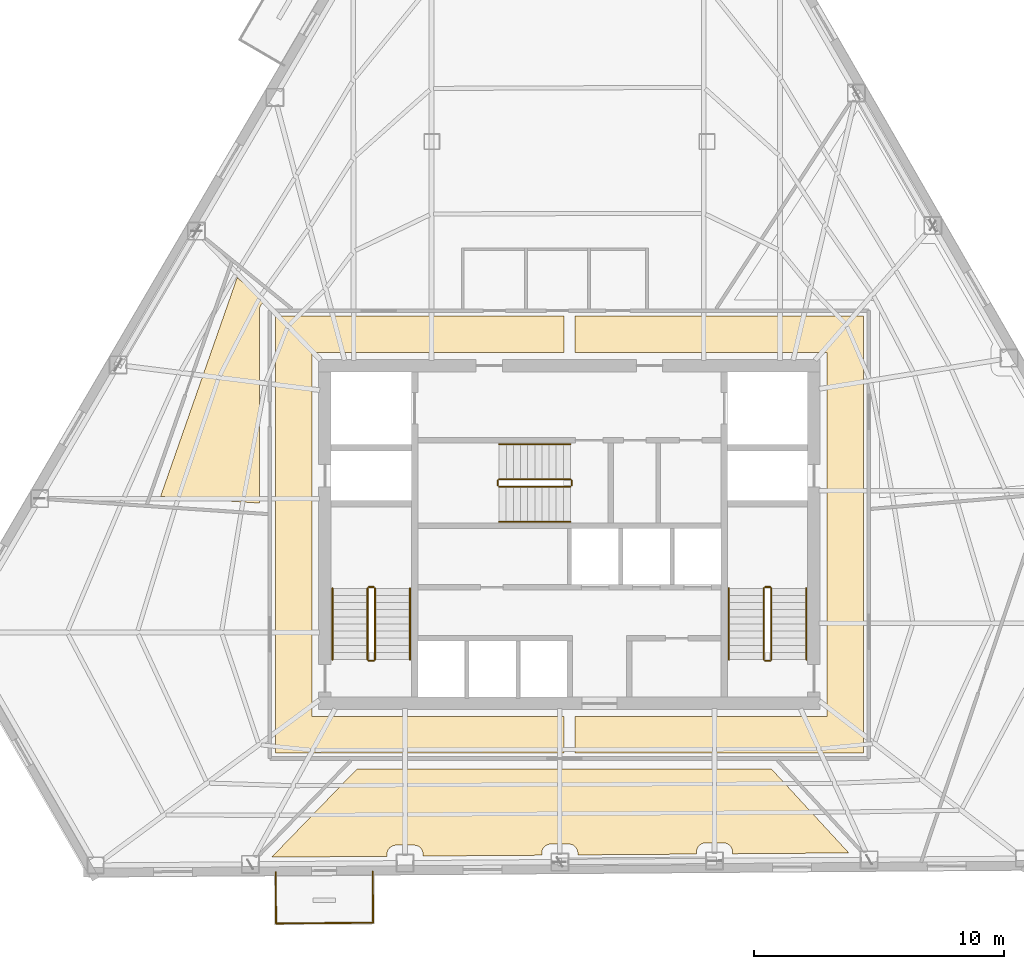
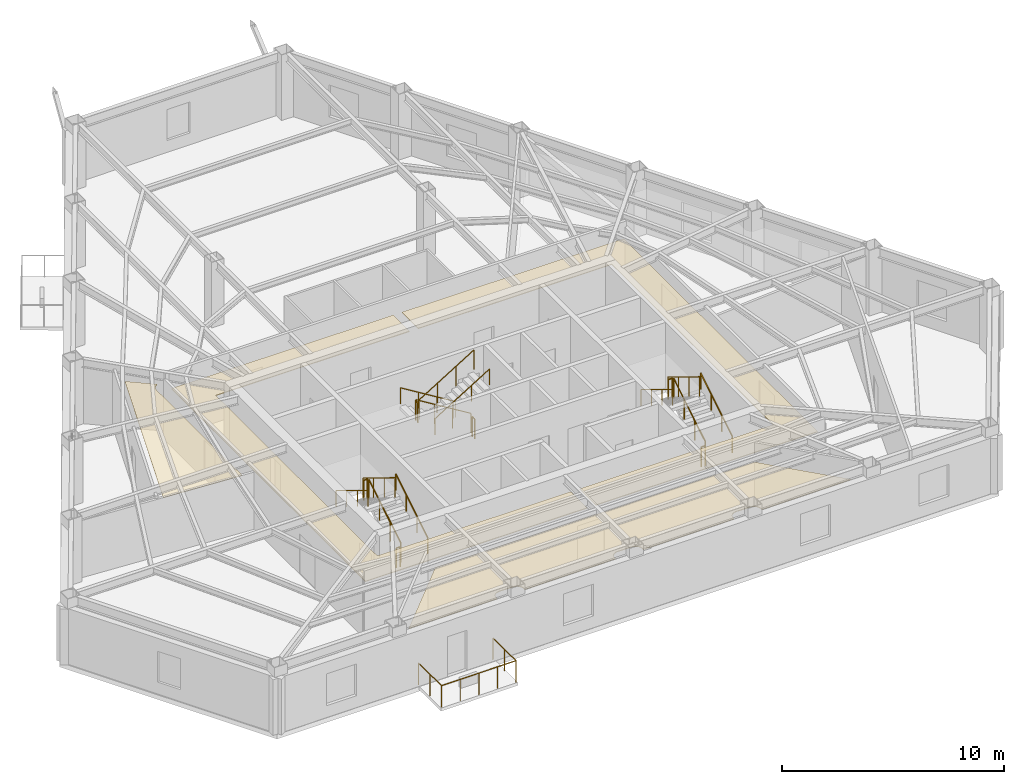
# One storey, part 11 of 12: 21 railings, 4 coverings.
"""IFC4 building model written with IfcOpenShell, lengths in metres."""

from ifc_helpers import new_model, si_unit, direction, frame, origin, origin_2d, place, context, subcontext, project, spatial, polyline, circle, outline, extrude, material, layer, layer_set, type_object, element, save


model = new_model("IFC4")

# Units and contexts
model_context = context("Model", 3, precision=1e-05, world=origin(), true_north=direction((0.0, 1.0)))
body_context = subcontext(model_context, "Body", "Model", "MODEL_VIEW")
ifc_project = project(units=[si_unit("LENGTHUNIT", "METRE"), si_unit("AREAUNIT", "SQUARE_METRE"), si_unit("VOLUMEUNIT", "CUBIC_METRE"), si_unit("PLANEANGLEUNIT", "RADIAN"), si_unit("MASSUNIT", "GRAM", prefix="KILO")], contexts=[model_context])

# Site, building, storey
site_placement = place(None, origin())
site = spatial("IfcSite", under=ifc_project, at=site_placement, CompositionType="ELEMENT")
building_placement = place(site_placement, origin())
building = spatial("IfcBuilding", under=site, at=building_placement, Name="Kavelnor Concourse Tower", CompositionType="ELEMENT")
storey_placement = place(building_placement, frame((0.0, 0.0, 143.25)))
storey = spatial("IfcBuildingStorey", under=building, at=storey_placement, Name="L36", CompositionType="ELEMENT", Elevation=143.25)

# Coverings
ifc_material_1 = material(Name="Mineral fibre acoustic ceiling tile")
ifc_layer = layer(ifc_material_1, 0.0400390625, Name="Mineral fibre acoustic ceiling tile")
ifc_layer_set = layer_set([ifc_layer], Name="Mineral fibre acoustic ceiling tile")
covering_type = type_object("IfcCoveringType", Name="COV-CEILING-ACOUSTIC", PredefinedType="CEILING", material=ifc_layer_set)
covering_1_placement = place(storey_placement, frame((0.0, 0.0, 2.75)))
element("IfcCovering", 1, at=covering_1_placement, inside=storey, type_object=covering_type, Name="L36 Suspended Acoustic Ceiling", PredefinedType="CEILING", context=body_context, shape_type="SweptSolid", body=[
    extrude(outline(polyline([(26.25, 7.3701171875), (26.25, 24.830078125), (37.77490234375, 24.830078125), (37.77490234375, 23.3701171875), (27.7099609375, 23.3701171875), (27.7099609375, 8.830078125), (37.77490234375, 8.830078125), (37.77490234375, 7.3701171875), (26.25, 7.3701171875)])), origin(), (0.0, 0.0, 1.0), 0.0400390625),
])
covering_2_placement = place(storey_placement, frame((0.0, 0.0, 2.75)))
element("IfcCovering", 2, at=covering_2_placement, inside=storey, type_object=covering_type, Name="L36 Suspended Acoustic Ceiling", PredefinedType="CEILING", context=body_context, shape_type="SweptSolid", body=[
    extrude(outline(polyline([(49.75, 7.3701171875), (38.22509765625, 7.3701171875), (38.22509765625, 8.830078125), (48.2900390625, 8.830078125), (48.2900390625, 23.3701171875), (38.22509765625, 23.3701171875), (38.22509765625, 24.830078125), (49.75, 24.830078125), (49.75, 7.3701171875)])), origin(), (0.0, 0.0, 1.0), 0.0400390625),
])
covering_3_placement = place(storey_placement, frame((0.0, 0.0, 2.75)))
element("IfcCovering", 3, at=covering_3_placement, inside=storey, type_object=covering_type, Name="L36 Suspended Acoustic Ceiling", PredefinedType="CEILING", context=body_context, shape_type="SweptSolid", body=[
    extrude(outline(polyline([(25.83056640625, 25.423095703125), (25.794921875, 25.401611328125), (25.76171875, 25.376953125), (25.73095703125, 25.34912109375), (25.703125, 25.318359375), (25.678466796875, 25.284912109375), (25.656982421875, 25.24951171875), (25.639404296875, 25.2119140625), (25.625244140625, 25.1728515625), (25.615234375, 25.132568359375), (25.609130859375, 25.091552734375), (25.607421875, 25.058349609375), (25.607421875, 17.3544921875), (21.65966796875, 17.62158203125), (24.72021484375, 26.36572265625), (25.861328125, 25.4375), (25.83056640625, 25.423095703125)])), origin(), (0.0, 0.0, 1.0), 0.0400390625),
])
covering_4_placement = place(storey_placement, frame((0.0, 0.0, 2.75)))
element("IfcCovering", 4, at=covering_4_placement, inside=storey, type_object=covering_type, Name="L36 Suspended Acoustic Ceiling", PredefinedType="CEILING", context=body_context, shape_type="SweptSolid", body=[
    extrude(outline(polyline([(29.509521484375, 6.7275390625), (46.074462890625, 6.7275390625), (49.165283203125, 3.374267578125), (44.518310546875, 3.33984375), (44.518310546875, 3.4228515625), (44.516845703125, 3.449951171875), (44.51171875, 3.48486328125), (44.503173828125, 3.519287109375), (44.4912109375, 3.552490234375), (44.47607421875, 3.58447265625), (44.4580078125, 3.61474609375), (44.436767578125, 3.643310546875), (44.4130859375, 3.66943359375), (44.38671875, 3.693115234375), (44.3583984375, 3.71435546875), (44.328125, 3.732421875), (44.296142578125, 3.74755859375), (44.2626953125, 3.759521484375), (44.228515625, 3.76806640625), (44.193603515625, 3.773193359375), (44.16650390625, 3.774658203125), (43.429931640625, 3.774658203125), (43.40283203125, 3.773193359375), (43.367919921875, 3.76806640625), (43.33349609375, 3.759521484375), (43.30029296875, 3.74755859375), (43.268310546875, 3.732421875), (43.238037109375, 3.71435546875), (43.209716796875, 3.693115234375), (43.183349609375, 3.66943359375), (43.15966796875, 3.643310546875), (43.138427734375, 3.61474609375), (43.120361328125, 3.58447265625), (43.105224609375, 3.552490234375), (43.09326171875, 3.519287109375), (43.084716796875, 3.48486328125), (43.07958984375, 3.449951171875), (43.078125, 3.4228515625), (43.078125, 3.329345703125), (38.334228515625, 3.29443359375), (38.334228515625, 3.37744140625), (38.3330078125, 3.404296875), (38.32763671875, 3.439453125), (38.319091796875, 3.4736328125), (38.30712890625, 3.507080078125), (38.2919921875, 3.5390625), (38.27392578125, 3.5693359375), (38.252685546875, 3.59765625), (38.22900390625, 3.623779296875), (38.202880859375, 3.647705078125), (38.17431640625, 3.668701171875), (38.14404296875, 3.68701171875), (38.112060546875, 3.7021484375), (38.078857421875, 3.714111328125), (38.04443359375, 3.72265625), (38.009521484375, 3.727783203125), (37.982421875, 3.72900390625), (37.245849609375, 3.72900390625), (37.218994140625, 3.727783203125), (37.183837890625, 3.72265625), (37.149658203125, 3.714111328125), (37.1162109375, 3.7021484375), (37.084228515625, 3.68701171875), (37.053955078125, 3.668701171875), (37.025634765625, 3.647705078125), (36.99951171875, 3.623779296875), (36.9755859375, 3.59765625), (36.95458984375, 3.5693359375), (36.936279296875, 3.5390625), (36.921142578125, 3.507080078125), (36.9091796875, 3.4736328125), (36.900634765625, 3.439453125), (36.8955078125, 3.404296875), (36.894287109375, 3.37744140625), (36.894287109375, 3.28369140625), (32.150146484375, 3.248779296875), (32.150146484375, 3.331787109375), (32.14892578125, 3.35888671875), (32.143798828125, 3.393798828125), (32.135009765625, 3.42822265625), (32.123291015625, 3.46142578125), (32.108154296875, 3.493408203125), (32.08984375, 3.523681640625), (32.06884765625, 3.55224609375), (32.044921875, 3.578369140625), (32.018798828125, 3.602294921875), (31.990478515625, 3.623291015625), (31.960205078125, 3.6416015625), (31.927978515625, 3.656494140625), (31.894775390625, 3.66845703125), (31.860595703125, 3.677001953125), (31.825439453125, 3.682373046875), (31.798583984375, 3.68359375), (31.06201171875, 3.68359375), (31.034912109375, 3.682373046875), (31.0, 3.677001953125), (30.965576171875, 3.66845703125), (30.932373046875, 3.656494140625), (30.900390625, 3.6416015625), (30.8701171875, 3.623291015625), (30.841552734375, 3.602294921875), (30.8154296875, 3.578369140625), (30.79150390625, 3.55224609375), (30.7705078125, 3.523681640625), (30.752197265625, 3.493408203125), (30.7373046875, 3.46142578125), (30.725341796875, 3.42822265625), (30.716796875, 3.393798828125), (30.71142578125, 3.35888671875), (30.710205078125, 3.331787109375), (30.710205078125, 3.23828125), (26.1005859375, 3.204345703125), (29.509521484375, 6.7275390625)])), origin(), (0.0, 0.0, 1.0), 0.0400390625),
])

# Railings
ifc_material_2 = material(Name="Steel Grade 350", Category="steel")
railing_type_1 = type_object("IfcRailingType", Name="RLG-GUARD-1100", PredefinedType="GUARDRAIL", material=ifc_material_2)
railing_1_placement = place(storey_placement, frame((30.22998046875, 11.10009765625, 0.175048828125)))
element("IfcRailing", 5, at=railing_1_placement, inside=storey, type_object=railing_type_1, Name="L36 ST1 stair guard 1", PredefinedType="GUARDRAIL", context=body_context, shape_type="SweptSolid", body=[
    extrude(circle(Radius=0.02392578125, at=origin_2d()), frame((0.0, 0.0, 1.076171875), z_axis=(0.0, 0.852159232446, 0.523282564737), x_axis=(-1.0, 0.0, 0.0)), (0.0, 0.0, 1.0), 3.34423828125),
    extrude(circle(Radius=0.02099609375, at=origin_2d()), origin(), (0.0, 0.0, 1.0), 1.052001953125),
    extrude(circle(Radius=0.02099609375, at=origin_2d()), frame((0.0, 0.949951171875, 0.583251953125)), (0.0, 0.0, 1.0), 1.052001953125),
    extrude(circle(Radius=0.02099609375, at=origin_2d()), frame((0.0, 1.89990234375, 1.166748046875)), (0.0, 0.0, 1.0), 1.052001953125),
    extrude(circle(Radius=0.02099609375, at=origin_2d()), frame((0.0, 2.849853515625, 1.75)), (0.0, 0.0, 1.0), 1.052001953125),
])
railing_2_placement = place(storey_placement, frame((30.179931640625, 14.0, 1.925048828125)))
element("IfcRailing", 6, at=railing_2_placement, inside=storey, type_object=railing_type_1, Name="L36 ST1 stair guard 2", PredefinedType="GUARDRAIL", context=body_context, shape_type="SweptSolid", body=[
    extrude(circle(Radius=0.02392578125, at=origin_2d()), frame((0.0, 0.0, 1.076171875), z_axis=(-1.0, 0.0, 0.0), x_axis=(0.0, -1.0, 0.0)), (0.0, 0.0, 1.0), 0.199951171875),
    extrude(circle(Radius=0.02099609375, at=origin_2d()), origin(), (0.0, 0.0, 1.0), 1.052001953125),
    extrude(circle(Radius=0.02099609375, at=origin_2d()), frame((-0.199951171875, 0.0, 0.0)), (0.0, 0.0, 1.0), 1.052001953125),
])
railing_3_placement = place(storey_placement, frame((29.929931640625, 13.949951171875, 2.10009765625)))
element("IfcRailing", 7, at=railing_3_placement, inside=storey, type_object=railing_type_1, Name="L36 ST1 stair guard 3", PredefinedType="GUARDRAIL", context=body_context, shape_type="SweptSolid", body=[
    extrude(circle(Radius=0.02392578125, at=origin_2d()), frame((0.0, 0.0, 1.076171875), z_axis=(0.0, -0.852159232446, 0.523282564737), x_axis=(1.0, 0.0, 0.0)), (0.0, 0.0, 1.0), 3.34423828125),
    extrude(circle(Radius=0.02099609375, at=origin_2d()), origin(), (0.0, 0.0, 1.0), 1.052001953125),
    extrude(circle(Radius=0.02099609375, at=origin_2d()), frame((0.0, -0.949951171875, 0.583251953125)), (0.0, 0.0, 1.0), 1.052001953125),
    extrude(circle(Radius=0.02099609375, at=origin_2d()), frame((0.0, -1.89990234375, 1.166748046875)), (0.0, 0.0, 1.0), 1.052001953125),
    extrude(circle(Radius=0.02099609375, at=origin_2d()), frame((0.0, -2.849853515625, 1.75)), (0.0, 0.0, 1.0), 1.052001953125),
])
railing_4_placement = place(storey_placement, frame((30.179931640625, 11.050048828125, 0.0)))
element("IfcRailing", 8, at=railing_4_placement, inside=storey, type_object=railing_type_1, Name="L36 ST1 stair guard 4", PredefinedType="GUARDRAIL", context=body_context, shape_type="SweptSolid", body=[
    extrude(circle(Radius=0.02392578125, at=origin_2d()), frame((0.0, 0.0, 1.076171875), z_axis=(-1.0, 0.0, 0.0), x_axis=(0.0, -1.0, 0.0)), (0.0, 0.0, 1.0), 0.199951171875),
    extrude(circle(Radius=0.02099609375, at=origin_2d()), origin(), (0.0, 0.0, 1.0), 1.052001953125),
    extrude(circle(Radius=0.02099609375, at=origin_2d()), frame((-0.199951171875, 0.0, 0.0)), (0.0, 0.0, 1.0), 1.052001953125),
])
railing_5_placement = place(storey_placement, frame((46.070068359375, 11.10009765625, 0.175048828125)))
element("IfcRailing", 9, at=railing_5_placement, inside=storey, type_object=railing_type_1, Name="L36 ST2 stair guard 1", PredefinedType="GUARDRAIL", context=body_context, shape_type="SweptSolid", body=[
    extrude(circle(Radius=0.02392578125, at=origin_2d()), frame((0.0, 0.0, 1.076171875), z_axis=(0.0, 0.852159232446, 0.523282564737), x_axis=(-1.0, 0.0, 0.0)), (0.0, 0.0, 1.0), 3.34423828125),
    extrude(circle(Radius=0.02099609375, at=origin_2d()), origin(), (0.0, 0.0, 1.0), 1.052001953125),
    extrude(circle(Radius=0.02099609375, at=origin_2d()), frame((0.0, 0.949951171875, 0.583251953125)), (0.0, 0.0, 1.0), 1.052001953125),
    extrude(circle(Radius=0.02099609375, at=origin_2d()), frame((0.0, 1.89990234375, 1.166748046875)), (0.0, 0.0, 1.0), 1.052001953125),
    extrude(circle(Radius=0.02099609375, at=origin_2d()), frame((0.0, 2.849853515625, 1.75)), (0.0, 0.0, 1.0), 1.052001953125),
])
railing_6_placement = place(storey_placement, frame((46.02001953125, 14.0, 1.925048828125)))
element("IfcRailing", 10, at=railing_6_placement, inside=storey, type_object=railing_type_1, Name="L36 ST2 stair guard 2", PredefinedType="GUARDRAIL", context=body_context, shape_type="SweptSolid", body=[
    extrude(circle(Radius=0.02392578125, at=origin_2d()), frame((0.0, 0.0, 1.076171875), z_axis=(-1.0, 0.0, 0.0), x_axis=(0.0, -1.0, 0.0)), (0.0, 0.0, 1.0), 0.199951171875),
    extrude(circle(Radius=0.02099609375, at=origin_2d()), origin(), (0.0, 0.0, 1.0), 1.052001953125),
    extrude(circle(Radius=0.02099609375, at=origin_2d()), frame((-0.199951171875, 0.0, 0.0)), (0.0, 0.0, 1.0), 1.052001953125),
])
railing_7_placement = place(storey_placement, frame((45.77001953125, 13.949951171875, 2.10009765625)))
element("IfcRailing", 11, at=railing_7_placement, inside=storey, type_object=railing_type_1, Name="L36 ST2 stair guard 3", PredefinedType="GUARDRAIL", context=body_context, shape_type="SweptSolid", body=[
    extrude(circle(Radius=0.02392578125, at=origin_2d()), frame((0.0, 0.0, 1.076171875), z_axis=(0.0, -0.852159232446, 0.523282564737), x_axis=(1.0, 0.0, 0.0)), (0.0, 0.0, 1.0), 3.34423828125),
    extrude(circle(Radius=0.02099609375, at=origin_2d()), origin(), (0.0, 0.0, 1.0), 1.052001953125),
    extrude(circle(Radius=0.02099609375, at=origin_2d()), frame((0.0, -0.949951171875, 0.583251953125)), (0.0, 0.0, 1.0), 1.052001953125),
    extrude(circle(Radius=0.02099609375, at=origin_2d()), frame((0.0, -1.89990234375, 1.166748046875)), (0.0, 0.0, 1.0), 1.052001953125),
    extrude(circle(Radius=0.02099609375, at=origin_2d()), frame((0.0, -2.849853515625, 1.75)), (0.0, 0.0, 1.0), 1.052001953125),
])
railing_8_placement = place(storey_placement, frame((46.02001953125, 11.050048828125, 0.0)))
element("IfcRailing", 12, at=railing_8_placement, inside=storey, type_object=railing_type_1, Name="L36 ST2 stair guard 4", PredefinedType="GUARDRAIL", context=body_context, shape_type="SweptSolid", body=[
    extrude(circle(Radius=0.02392578125, at=origin_2d()), frame((0.0, 0.0, 1.076171875), z_axis=(-1.0, 0.0, 0.0), x_axis=(0.0, -1.0, 0.0)), (0.0, 0.0, 1.0), 0.199951171875),
    extrude(circle(Radius=0.02099609375, at=origin_2d()), origin(), (0.0, 0.0, 1.0), 1.052001953125),
    extrude(circle(Radius=0.02099609375, at=origin_2d()), frame((-0.199951171875, 0.0, 0.0)), (0.0, 0.0, 1.0), 1.052001953125),
])
railing_9_placement = place(storey_placement, frame((38.0400390625, 18.31005859375, 0.175048828125)))
element("IfcRailing", 13, at=railing_9_placement, inside=storey, type_object=railing_type_1, Name="L36 ST3 stair guard 1", PredefinedType="GUARDRAIL", context=body_context, shape_type="SweptSolid", body=[
    extrude(circle(Radius=0.02392578125, at=origin_2d()), frame((0.0, 0.0, 1.076171875), z_axis=(-0.852179220489, 0.0, 0.52325001306), x_axis=(0.0, -1.0, 0.0)), (0.0, 0.0, 1.0), 3.344482421875),
    extrude(circle(Radius=0.02099609375, at=origin_2d()), origin(), (0.0, 0.0, 1.0), 1.052001953125),
    extrude(circle(Radius=0.02099609375, at=origin_2d()), frame((-0.949951171875, 0.0, 0.583251953125)), (0.0, 0.0, 1.0), 1.052001953125),
    extrude(circle(Radius=0.02099609375, at=origin_2d()), frame((-1.900146484375, 0.0, 1.166748046875)), (0.0, 0.0, 1.0), 1.052001953125),
    extrude(circle(Radius=0.02099609375, at=origin_2d()), frame((-2.85009765625, 0.0, 1.75)), (0.0, 0.0, 1.0), 1.052001953125),
])
railing_10_placement = place(storey_placement, frame((35.139892578125, 18.260009765625, 1.925048828125)))
element("IfcRailing", 14, at=railing_10_placement, inside=storey, type_object=railing_type_1, Name="L36 ST3 stair guard 2", PredefinedType="GUARDRAIL", context=body_context, shape_type="SweptSolid", body=[
    extrude(circle(Radius=0.02392578125, at=origin_2d()), frame((0.0, 0.0, 1.076171875), z_axis=(0.0, -1.0, 0.0), x_axis=(1.0, 0.0, 0.0)), (0.0, 0.0, 1.0), 0.199951171875),
    extrude(circle(Radius=0.02099609375, at=origin_2d()), origin(), (0.0, 0.0, 1.0), 1.052001953125),
    extrude(circle(Radius=0.02099609375, at=origin_2d()), frame((0.0, -0.199951171875, 0.0)), (0.0, 0.0, 1.0), 1.052001953125),
])
railing_11_placement = place(storey_placement, frame((35.18994140625, 18.010009765625, 2.10009765625)))
element("IfcRailing", 15, at=railing_11_placement, inside=storey, type_object=railing_type_1, Name="L36 ST3 stair guard 3", PredefinedType="GUARDRAIL", context=body_context, shape_type="SweptSolid", body=[
    extrude(circle(Radius=0.02392578125, at=origin_2d()), frame((0.0, 0.0, 1.076171875), z_axis=(0.852179220489, 0.0, 0.52325001306), x_axis=(0.0, 1.0, 0.0)), (0.0, 0.0, 1.0), 3.344482421875),
    extrude(circle(Radius=0.02099609375, at=origin_2d()), origin(), (0.0, 0.0, 1.0), 1.052001953125),
    extrude(circle(Radius=0.02099609375, at=origin_2d()), frame((0.949951171875, 0.0, 0.583251953125)), (0.0, 0.0, 1.0), 1.052001953125),
    extrude(circle(Radius=0.02099609375, at=origin_2d()), frame((1.900146484375, 0.0, 1.166748046875)), (0.0, 0.0, 1.0), 1.052001953125),
    extrude(circle(Radius=0.02099609375, at=origin_2d()), frame((2.85009765625, 0.0, 1.75)), (0.0, 0.0, 1.0), 1.052001953125),
])
railing_12_placement = place(storey_placement, frame((38.090087890625, 18.260009765625, 0.0)))
element("IfcRailing", 16, at=railing_12_placement, inside=storey, type_object=railing_type_1, Name="L36 ST3 stair guard 4", PredefinedType="GUARDRAIL", context=body_context, shape_type="SweptSolid", body=[
    extrude(circle(Radius=0.02392578125, at=origin_2d()), frame((0.0, 0.0, 1.076171875), z_axis=(0.0, -1.0, 0.0), x_axis=(1.0, 0.0, 0.0)), (0.0, 0.0, 1.0), 0.199951171875),
    extrude(circle(Radius=0.02099609375, at=origin_2d()), origin(), (0.0, 0.0, 1.0), 1.052001953125),
    extrude(circle(Radius=0.02099609375, at=origin_2d()), frame((0.0, -0.199951171875, 0.0)), (0.0, 0.0, 1.0), 1.052001953125),
])
railing_type_2 = type_object("IfcRailingType", Name="RLG-HANDRAIL-900", PredefinedType="HANDRAIL", material=ifc_material_2)
railing_13_placement = place(storey_placement, frame((31.6298828125, 11.10009765625, 0.175048828125)))
element("IfcRailing", 17, at=railing_13_placement, inside=storey, type_object=railing_type_2, Name="L36 ST1 stair handrail 1", PredefinedType="HANDRAIL", context=body_context, shape_type="SweptSolid", body=[
    extrude(circle(Radius=0.02392578125, at=origin_2d()), frame((0.0, 0.0, 0.8759765625), z_axis=(0.0, 0.852159232446, 0.523282564737), x_axis=(-1.0, 0.0, 0.0)), (0.0, 0.0, 1.0), 3.34423828125),
    extrude(circle(Radius=0.02099609375, at=origin_2d()), origin(), (0.0, 0.0, 1.0), 0.851806640625),
    extrude(circle(Radius=0.02099609375, at=origin_2d()), frame((0.0, 0.949951171875, 0.583251953125)), (0.0, 0.0, 1.0), 0.851806640625),
    extrude(circle(Radius=0.02099609375, at=origin_2d()), frame((0.0, 1.89990234375, 1.166748046875)), (0.0, 0.0, 1.0), 0.851806640625),
    extrude(circle(Radius=0.02099609375, at=origin_2d()), frame((0.0, 2.849853515625, 1.75)), (0.0, 0.0, 1.0), 0.851806640625),
])
railing_14_placement = place(storey_placement, frame((28.530029296875, 13.949951171875, 2.10009765625)))
element("IfcRailing", 18, at=railing_14_placement, inside=storey, type_object=railing_type_2, Name="L36 ST1 stair handrail 2", PredefinedType="HANDRAIL", context=body_context, shape_type="SweptSolid", body=[
    extrude(circle(Radius=0.02392578125, at=origin_2d()), frame((0.0, 0.0, 0.8759765625), z_axis=(0.0, -0.852159232446, 0.523282564737), x_axis=(1.0, 0.0, 0.0)), (0.0, 0.0, 1.0), 3.34423828125),
    extrude(circle(Radius=0.02099609375, at=origin_2d()), origin(), (0.0, 0.0, 1.0), 0.851806640625),
    extrude(circle(Radius=0.02099609375, at=origin_2d()), frame((0.0, -0.949951171875, 0.583251953125)), (0.0, 0.0, 1.0), 0.851806640625),
    extrude(circle(Radius=0.02099609375, at=origin_2d()), frame((0.0, -1.89990234375, 1.166748046875)), (0.0, 0.0, 1.0), 0.851806640625),
    extrude(circle(Radius=0.02099609375, at=origin_2d()), frame((0.0, -2.849853515625, 1.75)), (0.0, 0.0, 1.0), 0.851806640625),
])
railing_15_placement = place(storey_placement, frame((47.469970703125, 11.10009765625, 0.175048828125)))
element("IfcRailing", 19, at=railing_15_placement, inside=storey, type_object=railing_type_2, Name="L36 ST2 stair handrail 1", PredefinedType="HANDRAIL", context=body_context, shape_type="SweptSolid", body=[
    extrude(circle(Radius=0.02392578125, at=origin_2d()), frame((0.0, 0.0, 0.8759765625), z_axis=(0.0, 0.852159232446, 0.523282564737), x_axis=(-1.0, 0.0, 0.0)), (0.0, 0.0, 1.0), 3.34423828125),
    extrude(circle(Radius=0.02099609375, at=origin_2d()), origin(), (0.0, 0.0, 1.0), 0.851806640625),
    extrude(circle(Radius=0.02099609375, at=origin_2d()), frame((0.0, 0.949951171875, 0.583251953125)), (0.0, 0.0, 1.0), 0.851806640625),
    extrude(circle(Radius=0.02099609375, at=origin_2d()), frame((0.0, 1.89990234375, 1.166748046875)), (0.0, 0.0, 1.0), 0.851806640625),
    extrude(circle(Radius=0.02099609375, at=origin_2d()), frame((0.0, 2.849853515625, 1.75)), (0.0, 0.0, 1.0), 0.851806640625),
])
railing_16_placement = place(storey_placement, frame((44.3701171875, 13.949951171875, 2.10009765625)))
element("IfcRailing", 20, at=railing_16_placement, inside=storey, type_object=railing_type_2, Name="L36 ST2 stair handrail 2", PredefinedType="HANDRAIL", context=body_context, shape_type="SweptSolid", body=[
    extrude(circle(Radius=0.02392578125, at=origin_2d()), frame((0.0, 0.0, 0.8759765625), z_axis=(0.0, -0.852159232446, 0.523282564737), x_axis=(1.0, 0.0, 0.0)), (0.0, 0.0, 1.0), 3.34423828125),
    extrude(circle(Radius=0.02099609375, at=origin_2d()), origin(), (0.0, 0.0, 1.0), 0.851806640625),
    extrude(circle(Radius=0.02099609375, at=origin_2d()), frame((0.0, -0.949951171875, 0.583251953125)), (0.0, 0.0, 1.0), 0.851806640625),
    extrude(circle(Radius=0.02099609375, at=origin_2d()), frame((0.0, -1.89990234375, 1.166748046875)), (0.0, 0.0, 1.0), 0.851806640625),
    extrude(circle(Radius=0.02099609375, at=origin_2d()), frame((0.0, -2.849853515625, 1.75)), (0.0, 0.0, 1.0), 0.851806640625),
])
railing_17_placement = place(storey_placement, frame((38.0400390625, 19.7099609375, 0.175048828125)))
element("IfcRailing", 21, at=railing_17_placement, inside=storey, type_object=railing_type_2, Name="L36 ST3 stair handrail 1", PredefinedType="HANDRAIL", context=body_context, shape_type="SweptSolid", body=[
    extrude(circle(Radius=0.02392578125, at=origin_2d()), frame((0.0, 0.0, 0.8759765625), z_axis=(-0.852179220489, 0.0, 0.52325001306), x_axis=(0.0, -1.0, 0.0)), (0.0, 0.0, 1.0), 3.344482421875),
    extrude(circle(Radius=0.02099609375, at=origin_2d()), origin(), (0.0, 0.0, 1.0), 0.851806640625),
    extrude(circle(Radius=0.02099609375, at=origin_2d()), frame((-0.949951171875, 0.0, 0.583251953125)), (0.0, 0.0, 1.0), 0.851806640625),
    extrude(circle(Radius=0.02099609375, at=origin_2d()), frame((-1.900146484375, 0.0, 1.166748046875)), (0.0, 0.0, 1.0), 0.851806640625),
    extrude(circle(Radius=0.02099609375, at=origin_2d()), frame((-2.85009765625, 0.0, 1.75)), (0.0, 0.0, 1.0), 0.851806640625),
])
railing_18_placement = place(storey_placement, frame((35.18994140625, 16.610107421875, 2.10009765625)))
element("IfcRailing", 22, at=railing_18_placement, inside=storey, type_object=railing_type_2, Name="L36 ST3 stair handrail 2", PredefinedType="HANDRAIL", context=body_context, shape_type="SweptSolid", body=[
    extrude(circle(Radius=0.02392578125, at=origin_2d()), frame((0.0, 0.0, 0.8759765625), z_axis=(0.852179220489, 0.0, 0.52325001306), x_axis=(0.0, 1.0, 0.0)), (0.0, 0.0, 1.0), 3.344482421875),
    extrude(circle(Radius=0.02099609375, at=origin_2d()), origin(), (0.0, 0.0, 1.0), 0.851806640625),
    extrude(circle(Radius=0.02099609375, at=origin_2d()), frame((0.949951171875, 0.0, 0.583251953125)), (0.0, 0.0, 1.0), 0.851806640625),
    extrude(circle(Radius=0.02099609375, at=origin_2d()), frame((1.900146484375, 0.0, 1.166748046875)), (0.0, 0.0, 1.0), 0.851806640625),
    extrude(circle(Radius=0.02099609375, at=origin_2d()), frame((2.85009765625, 0.0, 1.75)), (0.0, 0.0, 1.0), 0.851806640625),
])
ifc_material_3 = material(Name="Architectural bronze-anodised aluminium", Category="aluminium")
railing_type_3 = type_object("IfcRailingType", Name="RLG-TERRACE-1200", PredefinedType="BALUSTRADE", material=ifc_material_3)
railing_19_placement = place(storey_placement, frame((26.2587890625, 2.60546875, 0.0)))
element("IfcRailing", 23, at=railing_19_placement, inside=storey, type_object=railing_type_3, Name="L36 Tree Balcony 2 Guardrail L", PredefinedType="BALUSTRADE", context=body_context, shape_type="SweptSolid", body=[
    extrude(circle(Radius=0.02392578125, at=origin_2d()), frame((0.0, 0.0, 1.17578125), z_axis=(0.007502468374, -0.999971856088, 0.0), x_axis=(0.999971856088, 0.007502468374, 0.0)), (0.0, 0.0, 1.0), 2.050048828125),
    extrude(circle(Radius=0.02099609375, at=origin_2d()), origin(), (0.0, 0.0, 1.0), 1.15185546875),
    extrude(circle(Radius=0.02099609375, at=origin_2d()), frame((0.0078125, -1.02490234375, 0.0)), (0.0, 0.0, 1.0), 1.15185546875),
    extrude(circle(Radius=0.02099609375, at=origin_2d()), frame((0.015380859375, -2.050048828125, 0.0)), (0.0, 0.0, 1.0), 1.15185546875),
])
railing_20_placement = place(storey_placement, frame((26.274169921875, 0.555419921875, 0.0)))
element("IfcRailing", 24, at=railing_20_placement, inside=storey, type_object=railing_type_3, Name="L36 Tree Balcony 2 Guardrail F", PredefinedType="BALUSTRADE", context=body_context, shape_type="SweptSolid", body=[
    extrude(circle(Radius=0.02392578125, at=origin_2d()), frame((0.0, 0.0, 1.17578125), z_axis=(0.99997243147, 0.007425382098, 0.0), x_axis=(-0.007425382098, 0.99997243147, 0.0)), (0.0, 0.0, 1.0), 3.879638671875),
    extrude(circle(Radius=0.02099609375, at=origin_2d()), origin(), (0.0, 0.0, 1.0), 1.15185546875),
    extrude(circle(Radius=0.02099609375, at=origin_2d()), frame((0.969970703125, 0.00732421875, 0.0)), (0.0, 0.0, 1.0), 1.15185546875),
    extrude(circle(Radius=0.02099609375, at=origin_2d()), frame((1.93994140625, 0.014404296875, 0.0)), (0.0, 0.0, 1.0), 1.15185546875),
    extrude(circle(Radius=0.02099609375, at=origin_2d()), frame((2.90966796875, 0.021484375, 0.0)), (0.0, 0.0, 1.0), 1.15185546875),
    extrude(circle(Radius=0.02099609375, at=origin_2d()), frame((3.879638671875, 0.02880859375, 0.0)), (0.0, 0.0, 1.0), 1.15185546875),
])
railing_21_placement = place(storey_placement, frame((30.15380859375, 0.584228515625, 0.0)))
element("IfcRailing", 25, at=railing_21_placement, inside=storey, type_object=railing_type_3, Name="L36 Tree Balcony 2 Guardrail R", PredefinedType="BALUSTRADE", context=body_context, shape_type="SweptSolid", body=[
    extrude(circle(Radius=0.02392578125, at=origin_2d()), frame((0.0, 0.0, 1.17578125), z_axis=(-0.007265172714, 0.999973608284, 0.0), x_axis=(-0.999973608284, -0.007265172714, 0.0)), (0.0, 0.0, 1.0), 2.0498046875),
    extrude(circle(Radius=0.02099609375, at=origin_2d()), origin(), (0.0, 0.0, 1.0), 1.15185546875),
    extrude(circle(Radius=0.02099609375, at=origin_2d()), frame((-0.00732421875, 1.02490234375, 0.0)), (0.0, 0.0, 1.0), 1.15185546875),
    extrude(circle(Radius=0.02099609375, at=origin_2d()), frame((-0.014892578125, 2.0498046875, 0.0)), (0.0, 0.0, 1.0), 1.15185546875),
])

save(model, "model.ifc")
